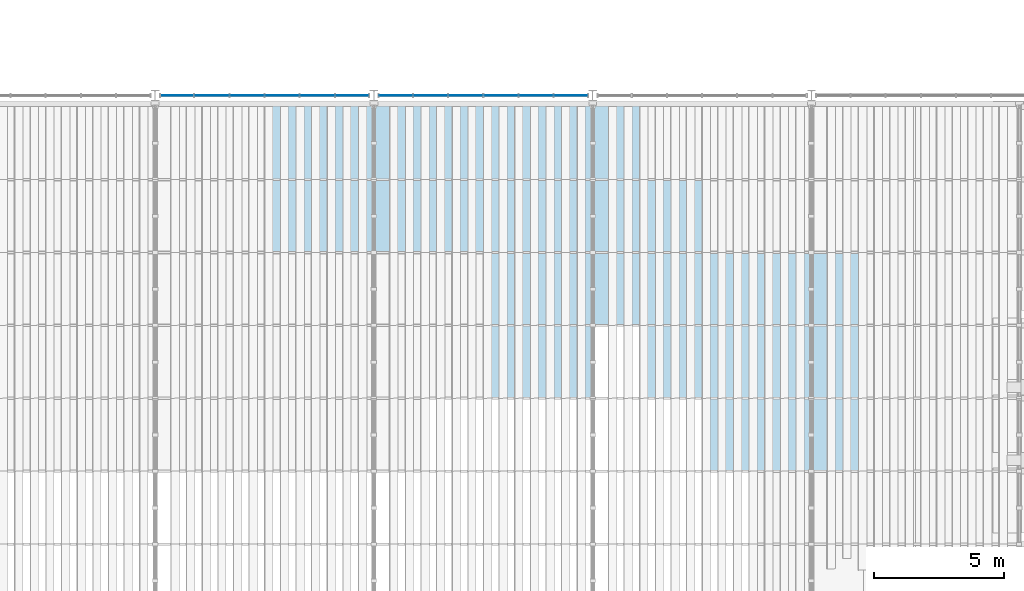
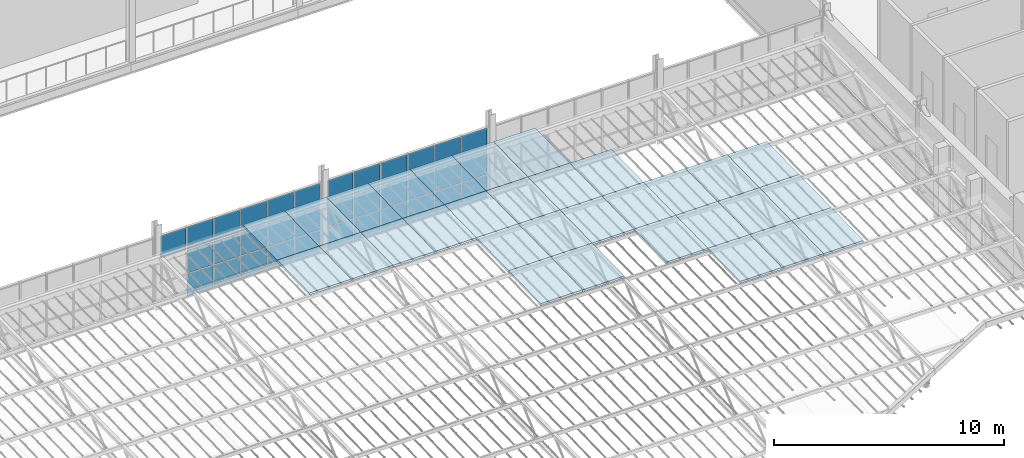
# One storey, part 73 of 129: 65 plates, 2 elements without a shape of their own.
"""IFC4 building model written with IfcOpenShell, lengths in metres."""

from ifc_helpers import new_model, si_unit, direction, frame, origin, origin_2d, place, context, subcontext, project, spatial, polyline, rectangle, outline, extrude, material, layer, layer_set, type_object, element, aggregate, save


model = new_model("IFC4")

# Units and contexts
model_context = context("Model", 3, precision=1e-05, world=origin(), true_north=direction((0.0, 1.0)))
body_context = subcontext(model_context, "Body", "Model", "MODEL_VIEW")
ifc_project = project(units=[si_unit("LENGTHUNIT", "METRE"), si_unit("AREAUNIT", "SQUARE_METRE"), si_unit("VOLUMEUNIT", "CUBIC_METRE"), si_unit("PLANEANGLEUNIT", "RADIAN"), si_unit("MASSUNIT", "GRAM", prefix="KILO")], contexts=[model_context])

# Site, building, storey
site_placement = place(None, origin())
site = spatial("IfcSite", under=ifc_project, at=site_placement, CompositionType="ELEMENT")
building_placement = place(site_placement, origin())
building = spatial("IfcBuilding", under=site, at=building_placement, Name="Ardhachandra Cancer Care Centre", CompositionType="ELEMENT")
storey_placement = place(building_placement, frame((0.0, 0.0, 4.5)))
storey = spatial("IfcBuildingStorey", under=building, at=storey_placement, Name="L01", CompositionType="ELEMENT", Elevation=4.5)

# Plates
ifc_material_1 = material(Name="Glass, laminated low-e insulating unit", Category="glass")
ifc_layer_1 = layer(ifc_material_1, 0.1201171875)
ifc_layer_set_1 = layer_set([ifc_layer_1], Name="Glass, laminated low-e insulating unit")
plate_type_1 = type_object("IfcPlateType", Name="Court glass cassette 120", PredefinedType="SHEET", material=ifc_layer_set_1)
plate_1_placement = place(storey_placement, frame((84.300048828125, 51.375, 3.007568359375), z_axis=(0.0, -0.019934189218, 0.999801294308), x_axis=(-1.0, 0.0, 0.0)))
element("IfcPlate", 1, at=plate_1_placement, inside=storey, type_object=plate_type_1, Name="Court glass cassette 5-1-3", PredefinedType="SHEET", context=body_context, shape_type="SweptSolid", body=[
    extrude(outline(polyline([(0.0, -3.00048828125), (2.10009765625, -3.00048828125), (2.10009765625, 0.0), (0.0, 0.0), (0.0, -3.00048828125)])), frame((0.0, 0.0, -0.1201171875)), (0.0, 0.0, 1.0), 0.1201171875),
])
plate_2_placement = place(storey_placement, frame((86.39990234375, 51.375, 3.007568359375), z_axis=(0.0, -0.019934189218, 0.999801294308), x_axis=(-1.0, 0.0, 0.0)))
element("IfcPlate", 2, at=plate_2_placement, inside=storey, type_object=plate_type_1, Name="Court glass cassette 5-1-4", PredefinedType="SHEET", context=body_context, shape_type="SweptSolid", body=[
    extrude(outline(polyline([(0.0, -3.00048828125), (2.099853515625, -3.00048828125), (2.099853515625, 0.0), (0.0, 0.0), (0.0, -3.00048828125)])), frame((0.0, 0.0, -0.1201171875)), (0.0, 0.0, 1.0), 0.1201171875),
])
plate_3_placement = place(storey_placement, frame((82.199951171875, 48.574951171875, 2.951416015625), z_axis=(0.0, -0.02005002746, 0.999798977995), x_axis=(0.0, 0.999798977995, 0.02005002746)))
element("IfcPlate", 3, at=plate_3_placement, inside=storey, type_object=plate_type_1, Name="Court glass cassette 5-2-3", PredefinedType="SHEET", context=body_context, shape_type="SweptSolid", body=[
    extrude(outline(polyline([(0.0, -2.10009765625), (2.800537109375, -2.10009765625), (2.800537109375, 0.0), (0.0, 0.0), (0.0, -2.10009765625)])), frame((0.0, 0.0, -0.1201171875)), (0.0, 0.0, 1.0), 0.1201171875),
])
plate_4_placement = place(storey_placement, frame((84.300048828125, 48.574951171875, 2.951416015625), z_axis=(0.0, -0.02005002746, 0.999798977995), x_axis=(0.0, 0.999798977995, 0.02005002746)))
element("IfcPlate", 4, at=plate_4_placement, inside=storey, type_object=plate_type_1, Name="Court glass cassette 5-2-4", PredefinedType="SHEET", context=body_context, shape_type="SweptSolid", body=[
    extrude(outline(polyline([(0.0, -2.099853515625), (2.800537109375, -2.099853515625), (2.800537109375, 0.0), (0.0, 0.0), (0.0, -2.099853515625)])), frame((0.0, 0.0, -0.1201171875)), (0.0, 0.0, 1.0), 0.1201171875),
])
for number, where, z_axis, x_axis, name in (
    (5, (88.5, 51.375, 3.007568359375), (0.0, -0.019934189218, 0.999801294308), (-1.0, 0.0, 0.0), "Court glass cassette 6-1-1"),
    (6, (90.60009765625, 51.375, 3.007568359375), (0.0, -0.019934189218, 0.999801294308), (-1.0, 0.0, 0.0), "Court glass cassette 6-1-2"),
):
    element("IfcPlate", number, at=place(storey_placement, frame(where, z_axis=z_axis, x_axis=x_axis)), inside=storey, type_object=plate_type_1, Name=name, PredefinedType="SHEET", context=body_context, shape_type="SweptSolid", body=[
        extrude(outline(polyline([(0.0, -3.00048828125), (2.10009765625, -3.00048828125), (2.10009765625, 0.0), (0.0, 0.0), (0.0, -3.00048828125)])), frame((0.0, 0.0, -0.1201171875)), (0.0, 0.0, 1.0), 0.1201171875),
    ])
plate_5_placement = place(storey_placement, frame((92.699951171875, 51.375, 3.007568359375), z_axis=(0.0, -0.019934189218, 0.999801294308), x_axis=(-1.0, 0.0, 0.0)))
element("IfcPlate", 7, at=plate_5_placement, inside=storey, type_object=plate_type_1, Name="Court glass cassette 6-1-3", PredefinedType="SHEET", context=body_context, shape_type="SweptSolid", body=[
    extrude(outline(polyline([(0.0, -3.00048828125), (2.099853515625, -3.00048828125), (2.099853515625, 0.0), (0.0, 0.0), (0.0, -3.00048828125)])), frame((0.0, 0.0, -0.1201171875)), (0.0, 0.0, 1.0), 0.1201171875),
])
plate_6_placement = place(storey_placement, frame((94.800048828125, 51.375, 3.007568359375), z_axis=(0.0, -0.019934189218, 0.999801294308), x_axis=(-1.0, 0.0, 0.0)))
element("IfcPlate", 8, at=plate_6_placement, inside=storey, type_object=plate_type_1, Name="Court glass cassette 6-1-4", PredefinedType="SHEET", context=body_context, shape_type="SweptSolid", body=[
    extrude(outline(polyline([(0.0, -3.00048828125), (2.10009765625, -3.00048828125), (2.10009765625, 0.0), (0.0, 0.0), (0.0, -3.00048828125)])), frame((0.0, 0.0, -0.1201171875)), (0.0, 0.0, 1.0), 0.1201171875),
])
for number, where, z_axis, x_axis, name in (
    (9, (86.39990234375, 48.574951171875, 2.951416015625), (0.0, -0.02005002746, 0.999798977995), (0.0, 0.999798977995, 0.02005002746), "Court glass cassette 6-2-1"),
    (10, (88.5, 48.574951171875, 2.951416015625), (0.0, -0.02005002746, 0.999798977995), (0.0, 0.999798977995, 0.02005002746), "Court glass cassette 6-2-2"),
):
    element("IfcPlate", number, at=place(storey_placement, frame(where, z_axis=z_axis, x_axis=x_axis)), inside=storey, type_object=plate_type_1, Name=name, PredefinedType="SHEET", context=body_context, shape_type="SweptSolid", body=[
        extrude(outline(polyline([(0.0, -2.10009765625), (2.800537109375, -2.10009765625), (2.800537109375, 0.0), (0.0, 0.0), (0.0, -2.10009765625)])), frame((0.0, 0.0, -0.1201171875)), (0.0, 0.0, 1.0), 0.1201171875),
    ])
plate_7_placement = place(storey_placement, frame((90.60009765625, 48.574951171875, 2.951416015625), z_axis=(0.0, -0.02005002746, 0.999798977995), x_axis=(0.0, 0.999798977995, 0.02005002746)))
element("IfcPlate", 11, at=plate_7_placement, inside=storey, type_object=plate_type_1, Name="Court glass cassette 6-2-3", PredefinedType="SHEET", context=body_context, shape_type="SweptSolid", body=[
    extrude(outline(polyline([(0.0, -2.099853515625), (2.800537109375, -2.099853515625), (2.800537109375, 0.0), (0.0, 0.0), (0.0, -2.099853515625)])), frame((0.0, 0.0, -0.1201171875)), (0.0, 0.0, 1.0), 0.1201171875),
])
plate_8_placement = place(storey_placement, frame((92.699951171875, 48.574951171875, 2.951416015625), z_axis=(0.0, -0.02005002746, 0.999798977995), x_axis=(0.0, 0.999798977995, 0.02005002746)))
element("IfcPlate", 12, at=plate_8_placement, inside=storey, type_object=plate_type_1, Name="Court glass cassette 6-2-4", PredefinedType="SHEET", context=body_context, shape_type="SweptSolid", body=[
    extrude(outline(polyline([(0.0, -2.10009765625), (2.800537109375, -2.10009765625), (2.800537109375, 0.0), (0.0, 0.0), (0.0, -2.10009765625)])), frame((0.0, 0.0, -0.1201171875)), (0.0, 0.0, 1.0), 0.1201171875),
])
plate_9_placement = place(storey_placement, frame((90.60009765625, 45.77490234375, 2.8955078125), z_axis=(0.0, -0.019962888244, 0.999800721691), x_axis=(0.0, 0.999800721691, 0.019962888244)))
element("IfcPlate", 13, at=plate_9_placement, inside=storey, type_object=plate_type_1, Name="Court glass cassette 6-3-3", PredefinedType="SHEET", context=body_context, shape_type="SweptSolid", body=[
    extrude(outline(polyline([(0.0, -2.099853515625), (2.800537109375, -2.099853515625), (2.800537109375, 0.0), (0.0, 0.0), (0.0, -2.099853515625)])), frame((0.0, 0.0, -0.1201171875)), (0.0, 0.0, 1.0), 0.1201171875),
])
plate_10_placement = place(storey_placement, frame((92.699951171875, 45.77490234375, 2.8955078125), z_axis=(0.0, -0.019962888244, 0.999800721691), x_axis=(0.0, 0.999800721691, 0.019962888244)))
element("IfcPlate", 14, at=plate_10_placement, inside=storey, type_object=plate_type_1, Name="Court glass cassette 6-3-4", PredefinedType="SHEET", context=body_context, shape_type="SweptSolid", body=[
    extrude(outline(polyline([(0.0, -2.10009765625), (2.800537109375, -2.10009765625), (2.800537109375, 0.0), (0.0, 0.0), (0.0, -2.10009765625)])), frame((0.0, 0.0, -0.1201171875)), (0.0, 0.0, 1.0), 0.1201171875),
])
plate_11_placement = place(storey_placement, frame((90.60009765625, 42.97509765625, 2.839599609375), z_axis=(0.0, -0.019964628297, 0.999800686946), x_axis=(0.0, 0.999800686946, 0.019964628297)))
element("IfcPlate", 15, at=plate_11_placement, inside=storey, type_object=plate_type_1, Name="Court glass cassette 6-4-3", PredefinedType="SHEET", context=body_context, shape_type="SweptSolid", body=[
    extrude(outline(polyline([(0.0, -2.099853515625), (2.80029296875, -2.099853515625), (2.80029296875, 0.0), (0.0, 0.0), (0.0, -2.099853515625)])), frame((0.0, 0.0, -0.1201171875)), (0.0, 0.0, 1.0), 0.1201171875),
])
plate_12_placement = place(storey_placement, frame((92.699951171875, 42.97509765625, 2.839599609375), z_axis=(0.0, -0.019964628297, 0.999800686946), x_axis=(0.0, 0.999800686946, 0.019964628297)))
element("IfcPlate", 16, at=plate_12_placement, inside=storey, type_object=plate_type_1, Name="Court glass cassette 6-4-4", PredefinedType="SHEET", context=body_context, shape_type="SweptSolid", body=[
    extrude(outline(polyline([(0.0, -2.10009765625), (2.80029296875, -2.10009765625), (2.80029296875, 0.0), (0.0, 0.0), (0.0, -2.10009765625)])), frame((0.0, 0.0, -0.1201171875)), (0.0, 0.0, 1.0), 0.1201171875),
])
plate_13_placement = place(storey_placement, frame((96.89990234375, 51.375, 3.007568359375), z_axis=(0.0, -0.019934189218, 0.999801294308), x_axis=(-1.0, 0.0, 0.0)))
element("IfcPlate", 17, at=plate_13_placement, inside=storey, type_object=plate_type_1, Name="Court glass cassette 7-1-1", PredefinedType="SHEET", context=body_context, shape_type="SweptSolid", body=[
    extrude(outline(polyline([(0.0, -3.00048828125), (2.099853515625, -3.00048828125), (2.099853515625, 0.0), (0.0, 0.0), (0.0, -3.00048828125)])), frame((0.0, 0.0, -0.1201171875)), (0.0, 0.0, 1.0), 0.1201171875),
])
plate_14_placement = place(storey_placement, frame((94.800048828125, 48.574951171875, 2.951416015625), z_axis=(0.0, -0.02005002746, 0.999798977995), x_axis=(0.0, 0.999798977995, 0.02005002746)))
element("IfcPlate", 18, at=plate_14_placement, inside=storey, type_object=plate_type_1, Name="Court glass cassette 7-2-1", PredefinedType="SHEET", context=body_context, shape_type="SweptSolid", body=[
    extrude(outline(polyline([(0.0, -2.099853515625), (2.800537109375, -2.099853515625), (2.800537109375, 0.0), (0.0, 0.0), (0.0, -2.099853515625)])), frame((0.0, 0.0, -0.1201171875)), (0.0, 0.0, 1.0), 0.1201171875),
])
plate_15_placement = place(storey_placement, frame((96.89990234375, 48.574951171875, 2.951416015625), z_axis=(0.0, -0.02005002746, 0.999798977995), x_axis=(0.0, 0.999798977995, 0.02005002746)))
element("IfcPlate", 19, at=plate_15_placement, inside=storey, type_object=plate_type_1, Name="Court glass cassette 7-2-2", PredefinedType="SHEET", context=body_context, shape_type="SweptSolid", body=[
    extrude(outline(polyline([(0.0, -2.10009765625), (2.800537109375, -2.10009765625), (2.800537109375, 0.0), (0.0, 0.0), (0.0, -2.10009765625)])), frame((0.0, 0.0, -0.1201171875)), (0.0, 0.0, 1.0), 0.1201171875),
])
plate_16_placement = place(storey_placement, frame((94.800048828125, 45.77490234375, 2.8955078125), z_axis=(0.0, -0.019962888244, 0.999800721691), x_axis=(0.0, 0.999800721691, 0.019962888244)))
element("IfcPlate", 20, at=plate_16_placement, inside=storey, type_object=plate_type_1, Name="Court glass cassette 7-3-1", PredefinedType="SHEET", context=body_context, shape_type="SweptSolid", body=[
    extrude(outline(polyline([(0.0, -2.099853515625), (2.800537109375, -2.099853515625), (2.800537109375, 0.0), (0.0, 0.0), (0.0, -2.099853515625)])), frame((0.0, 0.0, -0.1201171875)), (0.0, 0.0, 1.0), 0.1201171875),
])
for number, where, z_axis, x_axis, name in (
    (21, (96.89990234375, 45.77490234375, 2.8955078125), (0.0, -0.019962888244, 0.999800721691), (0.0, 0.999800721691, 0.019962888244), "Court glass cassette 7-3-2"),
    (22, (99.0, 45.77490234375, 2.8955078125), (0.0, -0.019962888244, 0.999800721691), (0.0, 0.999800721691, 0.019962888244), "Court glass cassette 7-3-3"),
):
    element("IfcPlate", number, at=place(storey_placement, frame(where, z_axis=z_axis, x_axis=x_axis)), inside=storey, type_object=plate_type_1, Name=name, PredefinedType="SHEET", context=body_context, shape_type="SweptSolid", body=[
        extrude(outline(polyline([(0.0, -2.10009765625), (2.800537109375, -2.10009765625), (2.800537109375, 0.0), (0.0, 0.0), (0.0, -2.10009765625)])), frame((0.0, 0.0, -0.1201171875)), (0.0, 0.0, 1.0), 0.1201171875),
    ])
plate_17_placement = place(storey_placement, frame((101.10009765625, 45.77490234375, 2.8955078125), z_axis=(0.0, -0.019962888244, 0.999800721691), x_axis=(0.0, 0.999800721691, 0.019962888244)))
element("IfcPlate", 23, at=plate_17_placement, inside=storey, type_object=plate_type_1, Name="Court glass cassette 7-3-4", PredefinedType="SHEET", context=body_context, shape_type="SweptSolid", body=[
    extrude(outline(polyline([(0.0, -2.099853515625), (2.800537109375, -2.099853515625), (2.800537109375, 0.0), (0.0, 0.0), (0.0, -2.099853515625)])), frame((0.0, 0.0, -0.1201171875)), (0.0, 0.0, 1.0), 0.1201171875),
])
for number, where, z_axis, x_axis, name in (
    (24, (96.89990234375, 42.97509765625, 2.839599609375), (0.0, -0.019964628297, 0.999800686946), (0.0, 0.999800686946, 0.019964628297), "Court glass cassette 7-4-2"),
    (25, (99.0, 42.97509765625, 2.839599609375), (0.0, -0.019964628297, 0.999800686946), (0.0, 0.999800686946, 0.019964628297), "Court glass cassette 7-4-3"),
):
    element("IfcPlate", number, at=place(storey_placement, frame(where, z_axis=z_axis, x_axis=x_axis)), inside=storey, type_object=plate_type_1, Name=name, PredefinedType="SHEET", context=body_context, shape_type="SweptSolid", body=[
        extrude(outline(polyline([(0.0, -2.10009765625), (2.80029296875, -2.10009765625), (2.80029296875, 0.0), (0.0, 0.0), (0.0, -2.10009765625)])), frame((0.0, 0.0, -0.1201171875)), (0.0, 0.0, 1.0), 0.1201171875),
    ])
plate_18_placement = place(storey_placement, frame((101.10009765625, 42.97509765625, 2.839599609375), z_axis=(0.0, -0.019964628297, 0.999800686946), x_axis=(0.0, 0.999800686946, 0.019964628297)))
element("IfcPlate", 26, at=plate_18_placement, inside=storey, type_object=plate_type_1, Name="Court glass cassette 7-4-4", PredefinedType="SHEET", context=body_context, shape_type="SweptSolid", body=[
    extrude(outline(polyline([(0.0, -2.099853515625), (2.80029296875, -2.099853515625), (2.80029296875, 0.0), (0.0, 0.0), (0.0, -2.099853515625)])), frame((0.0, 0.0, -0.1201171875)), (0.0, 0.0, 1.0), 0.1201171875),
])
plate_19_placement = place(storey_placement, frame((99.0, 40.175048828125, 2.783447265625), z_axis=(0.0, -0.02005002746, 0.999798977995), x_axis=(0.0, 0.999798977995, 0.02005002746)))
element("IfcPlate", 27, at=plate_19_placement, inside=storey, type_object=plate_type_1, Name="Court glass cassette 7-5-3", PredefinedType="SHEET", context=body_context, shape_type="SweptSolid", body=[
    extrude(outline(polyline([(0.0, -2.10009765625), (2.800537109375, -2.10009765625), (2.800537109375, 0.0), (0.0, 0.0), (0.0, -2.10009765625)])), frame((0.0, 0.0, -0.1201171875)), (0.0, 0.0, 1.0), 0.1201171875),
])
plate_20_placement = place(storey_placement, frame((101.10009765625, 40.175048828125, 2.783447265625), z_axis=(0.0, -0.02005002746, 0.999798977995), x_axis=(0.0, 0.999798977995, 0.02005002746)))
element("IfcPlate", 28, at=plate_20_placement, inside=storey, type_object=plate_type_1, Name="Court glass cassette 7-5-4", PredefinedType="SHEET", context=body_context, shape_type="SweptSolid", body=[
    extrude(outline(polyline([(0.0, -2.099853515625), (2.800537109375, -2.099853515625), (2.800537109375, 0.0), (0.0, 0.0), (0.0, -2.099853515625)])), frame((0.0, 0.0, -0.1201171875)), (0.0, 0.0, 1.0), 0.1201171875),
])
plate_21_placement = place(storey_placement, frame((103.199951171875, 45.77490234375, 2.8955078125), z_axis=(0.0, -0.019962888244, 0.999800721691), x_axis=(0.0, 0.999800721691, 0.019962888244)))
element("IfcPlate", 29, at=plate_21_placement, inside=storey, type_object=plate_type_1, Name="Court glass cassette 8-3-1", PredefinedType="SHEET", context=body_context, shape_type="SweptSolid", body=[
    extrude(outline(polyline([(0.0, -1.996337890625), (2.800537109375, -1.996337890625), (2.800537109375, 0.0), (0.0, 0.0), (0.0, -1.996337890625)])), frame((0.0, 0.0, -0.1201171875)), (0.0, 0.0, 1.0), 0.1201171875),
])
plate_22_placement = place(storey_placement, frame((103.199951171875, 42.97509765625, 2.839599609375), z_axis=(0.0, -0.019964628297, 0.999800686946), x_axis=(0.0, 0.999800686946, 0.019964628297)))
element("IfcPlate", 30, at=plate_22_placement, inside=storey, type_object=plate_type_1, Name="Court glass cassette 8-4-1", PredefinedType="SHEET", context=body_context, shape_type="SweptSolid", body=[
    extrude(outline(polyline([(0.0, -1.996337890625), (2.80029296875, -1.996337890625), (2.80029296875, 0.0), (0.0, 0.0), (0.0, -1.996337890625)])), frame((0.0, 0.0, -0.1201171875)), (0.0, 0.0, 1.0), 0.1201171875),
])
plate_23_placement = place(storey_placement, frame((103.199951171875, 40.175048828125, 2.783447265625), z_axis=(0.0, -0.02005002746, 0.999798977995), x_axis=(0.0, 0.999798977995, 0.02005002746)))
element("IfcPlate", 31, at=plate_23_placement, inside=storey, type_object=plate_type_1, Name="Court glass cassette 8-5-1", PredefinedType="SHEET", context=body_context, shape_type="SweptSolid", body=[
    extrude(outline(polyline([(0.0, -1.996337890625), (2.800537109375, -1.996337890625), (2.800537109375, 0.0), (0.0, 0.0), (0.0, -1.996337890625)])), frame((0.0, 0.0, -0.1201171875)), (0.0, 0.0, 1.0), 0.1201171875),
])

# Curtain wall, plates
ifc_material_2 = material(Name="Aluminium extrusion", Category="aluminium")
ifc_layer_2 = layer(ifc_material_2, 0.14990234375)
ifc_layer_set_2 = layer_set([ifc_layer_2], Name="Aluminium extrusion")
curtain_wall_type = type_object("IfcCurtainWallType", Name="Curtain wall run", PredefinedType="NOTDEFINED", material=ifc_layer_set_2)
curtain_wall_1_placement = place(storey_placement, origin())
curtain_wall_1 = element("IfcCurtainWall", 32, at=curtain_wall_1_placement, inside=storey, type_object=curtain_wall_type, Name="Curtain wall L01 s/0078000_0054600", PredefinedType="NOTDEFINED")
ifc_material_3 = material(Name="Low-iron double-glazed unit")
ifc_layer_3 = layer(ifc_material_3, 0.028076171875)
ifc_layer_set_3 = layer_set([ifc_layer_3], Name="Low-iron double-glazed unit")
plate_type_2 = type_object("IfcPlateType", Name="Curtain wall glazing 28", PredefinedType="CURTAIN_PANEL", material=ifc_layer_set_3)
plate_24_placement = place(storey_placement, frame((78.840087890625, 54.60009765625, 2.55029296875), z_axis=(0.0, 0.0, 1.0), x_axis=(1.0, 0.0, 0.0)))
plate_24 = element("IfcPlate", 33, at=plate_24_placement, type_object=plate_type_2, Name="CW panel 1.3", PredefinedType="CURTAIN_PANEL", context=body_context, shape_type="SweptSolid", body=[
    extrude(rectangle(XDim=1.260009765625, YDim=0.028076171875, at=origin_2d()), origin(), (0.0, 0.0, 1.0), 1.170166015625),
])
plate_25_placement = place(storey_placement, frame((80.175048828125, 54.60009765625, 0.06005859375), z_axis=(0.0, 0.0, 1.0), x_axis=(1.0, 0.0, 0.0)))
plate_25 = element("IfcPlate", 34, at=plate_25_placement, type_object=plate_type_2, Name="CW panel 2.1", PredefinedType="CURTAIN_PANEL", context=body_context, shape_type="SweptSolid", body=[
    extrude(rectangle(XDim=1.2900390625, YDim=0.028076171875, at=origin_2d()), origin(), (0.0, 0.0, 1.0), 1.170166015625),
])
plate_26_placement = place(storey_placement, frame((80.175048828125, 54.60009765625, 1.2900390625), z_axis=(0.0, 0.0, 1.0), x_axis=(1.0, 0.0, 0.0)))
plate_26 = element("IfcPlate", 35, at=plate_26_placement, type_object=plate_type_2, Name="CW panel 2.2", PredefinedType="CURTAIN_PANEL", context=body_context, shape_type="SweptSolid", body=[
    extrude(rectangle(XDim=1.2900390625, YDim=0.028076171875, at=origin_2d()), origin(), (0.0, 0.0, 1.0), 1.2001953125),
])
plate_27_placement = place(storey_placement, frame((80.175048828125, 54.60009765625, 2.55029296875), z_axis=(0.0, 0.0, 1.0), x_axis=(1.0, 0.0, 0.0)))
plate_27 = element("IfcPlate", 36, at=plate_27_placement, type_object=plate_type_2, Name="CW panel 2.3", PredefinedType="CURTAIN_PANEL", context=body_context, shape_type="SweptSolid", body=[
    extrude(rectangle(XDim=1.2900390625, YDim=0.028076171875, at=origin_2d()), origin(), (0.0, 0.0, 1.0), 1.170166015625),
])
plate_28_placement = place(storey_placement, frame((81.52490234375, 54.60009765625, 0.06005859375), z_axis=(0.0, 0.0, 1.0), x_axis=(1.0, 0.0, 0.0)))
plate_28 = element("IfcPlate", 37, at=plate_28_placement, type_object=plate_type_2, Name="CW panel 3.1", PredefinedType="CURTAIN_PANEL", context=body_context, shape_type="SweptSolid", body=[
    extrude(rectangle(XDim=1.2900390625, YDim=0.028076171875, at=origin_2d()), origin(), (0.0, 0.0, 1.0), 1.170166015625),
])
plate_29_placement = place(storey_placement, frame((81.52490234375, 54.60009765625, 1.2900390625), z_axis=(0.0, 0.0, 1.0), x_axis=(1.0, 0.0, 0.0)))
plate_29 = element("IfcPlate", 38, at=plate_29_placement, type_object=plate_type_2, Name="CW panel 3.2", PredefinedType="CURTAIN_PANEL", context=body_context, shape_type="SweptSolid", body=[
    extrude(rectangle(XDim=1.2900390625, YDim=0.028076171875, at=origin_2d()), origin(), (0.0, 0.0, 1.0), 1.2001953125),
])
plate_30_placement = place(storey_placement, frame((81.52490234375, 54.60009765625, 2.55029296875), z_axis=(0.0, 0.0, 1.0), x_axis=(1.0, 0.0, 0.0)))
plate_30 = element("IfcPlate", 39, at=plate_30_placement, type_object=plate_type_2, Name="CW panel 3.3", PredefinedType="CURTAIN_PANEL", context=body_context, shape_type="SweptSolid", body=[
    extrude(rectangle(XDim=1.2900390625, YDim=0.028076171875, at=origin_2d()), origin(), (0.0, 0.0, 1.0), 1.170166015625),
])
plate_31_placement = place(storey_placement, frame((82.875, 54.60009765625, 0.06005859375), z_axis=(0.0, 0.0, 1.0), x_axis=(1.0, 0.0, 0.0)))
plate_31 = element("IfcPlate", 40, at=plate_31_placement, type_object=plate_type_2, Name="CW panel 4.1", PredefinedType="CURTAIN_PANEL", context=body_context, shape_type="SweptSolid", body=[
    extrude(rectangle(XDim=1.2900390625, YDim=0.028076171875, at=origin_2d()), origin(), (0.0, 0.0, 1.0), 1.170166015625),
])
plate_32_placement = place(storey_placement, frame((82.875, 54.60009765625, 1.2900390625), z_axis=(0.0, 0.0, 1.0), x_axis=(1.0, 0.0, 0.0)))
plate_32 = element("IfcPlate", 41, at=plate_32_placement, type_object=plate_type_2, Name="CW panel 4.2", PredefinedType="CURTAIN_PANEL", context=body_context, shape_type="SweptSolid", body=[
    extrude(rectangle(XDim=1.2900390625, YDim=0.028076171875, at=origin_2d()), origin(), (0.0, 0.0, 1.0), 1.2001953125),
])
plate_33_placement = place(storey_placement, frame((82.875, 54.60009765625, 2.55029296875), z_axis=(0.0, 0.0, 1.0), x_axis=(1.0, 0.0, 0.0)))
plate_33 = element("IfcPlate", 42, at=plate_33_placement, type_object=plate_type_2, Name="CW panel 4.3", PredefinedType="CURTAIN_PANEL", context=body_context, shape_type="SweptSolid", body=[
    extrude(rectangle(XDim=1.2900390625, YDim=0.028076171875, at=origin_2d()), origin(), (0.0, 0.0, 1.0), 1.170166015625),
])
plate_34_placement = place(storey_placement, frame((84.22509765625, 54.60009765625, 0.06005859375), z_axis=(0.0, 0.0, 1.0), x_axis=(1.0, 0.0, 0.0)))
plate_34 = element("IfcPlate", 43, at=plate_34_placement, type_object=plate_type_2, Name="CW panel 5.1", PredefinedType="CURTAIN_PANEL", context=body_context, shape_type="SweptSolid", body=[
    extrude(rectangle(XDim=1.2900390625, YDim=0.028076171875, at=origin_2d()), origin(), (0.0, 0.0, 1.0), 1.170166015625),
])
plate_35_placement = place(storey_placement, frame((84.22509765625, 54.60009765625, 1.2900390625), z_axis=(0.0, 0.0, 1.0), x_axis=(1.0, 0.0, 0.0)))
plate_35 = element("IfcPlate", 44, at=plate_35_placement, type_object=plate_type_2, Name="CW panel 5.2", PredefinedType="CURTAIN_PANEL", context=body_context, shape_type="SweptSolid", body=[
    extrude(rectangle(XDim=1.2900390625, YDim=0.028076171875, at=origin_2d()), origin(), (0.0, 0.0, 1.0), 1.2001953125),
])
plate_36_placement = place(storey_placement, frame((84.22509765625, 54.60009765625, 2.55029296875), z_axis=(0.0, 0.0, 1.0), x_axis=(1.0, 0.0, 0.0)))
plate_36 = element("IfcPlate", 45, at=plate_36_placement, type_object=plate_type_2, Name="CW panel 5.3", PredefinedType="CURTAIN_PANEL", context=body_context, shape_type="SweptSolid", body=[
    extrude(rectangle(XDim=1.2900390625, YDim=0.028076171875, at=origin_2d()), origin(), (0.0, 0.0, 1.0), 1.170166015625),
])
plate_37_placement = place(storey_placement, frame((85.56005859375, 54.60009765625, 0.06005859375), z_axis=(0.0, 0.0, 1.0), x_axis=(1.0, 0.0, 0.0)))
plate_37 = element("IfcPlate", 46, at=plate_37_placement, type_object=plate_type_2, Name="CW panel 6.1", PredefinedType="CURTAIN_PANEL", context=body_context, shape_type="SweptSolid", body=[
    extrude(rectangle(XDim=1.260009765625, YDim=0.028076171875, at=origin_2d()), origin(), (0.0, 0.0, 1.0), 1.170166015625),
])
plate_38_placement = place(storey_placement, frame((85.56005859375, 54.60009765625, 1.2900390625), z_axis=(0.0, 0.0, 1.0), x_axis=(1.0, 0.0, 0.0)))
plate_38 = element("IfcPlate", 47, at=plate_38_placement, type_object=plate_type_2, Name="CW panel 6.2", PredefinedType="CURTAIN_PANEL", context=body_context, shape_type="SweptSolid", body=[
    extrude(rectangle(XDim=1.260009765625, YDim=0.028076171875, at=origin_2d()), origin(), (0.0, 0.0, 1.0), 1.2001953125),
])
plate_39_placement = place(storey_placement, frame((85.56005859375, 54.60009765625, 2.55029296875), z_axis=(0.0, 0.0, 1.0), x_axis=(1.0, 0.0, 0.0)))
plate_39 = element("IfcPlate", 48, at=plate_39_placement, type_object=plate_type_2, Name="CW panel 6.3", PredefinedType="CURTAIN_PANEL", context=body_context, shape_type="SweptSolid", body=[
    extrude(rectangle(XDim=1.260009765625, YDim=0.028076171875, at=origin_2d()), origin(), (0.0, 0.0, 1.0), 1.170166015625),
])
aggregate(curtain_wall_1, [plate_24, plate_25, plate_26, plate_27, plate_28, plate_29, plate_30, plate_31, plate_32, plate_33, plate_34, plate_35, plate_36, plate_37, plate_38, plate_39])

curtain_wall_2_placement = place(storey_placement, origin())
curtain_wall_2 = element("IfcCurtainWall", 49, at=curtain_wall_2_placement, inside=storey, type_object=curtain_wall_type, Name="Curtain wall L01 s/0086400_0054600", PredefinedType="NOTDEFINED")
plate_40_placement = place(storey_placement, frame((87.239990234375, 54.60009765625, 0.06005859375), z_axis=(0.0, 0.0, 1.0), x_axis=(1.0, 0.0, 0.0)))
plate_40 = element("IfcPlate", 50, at=plate_40_placement, type_object=plate_type_2, Name="CW panel 1.1", PredefinedType="CURTAIN_PANEL", context=body_context, shape_type="SweptSolid", body=[
    extrude(rectangle(XDim=1.260009765625, YDim=0.028076171875, at=origin_2d()), origin(), (0.0, 0.0, 1.0), 1.170166015625),
])
plate_41_placement = place(storey_placement, frame((87.239990234375, 54.60009765625, 1.2900390625), z_axis=(0.0, 0.0, 1.0), x_axis=(1.0, 0.0, 0.0)))
plate_41 = element("IfcPlate", 51, at=plate_41_placement, type_object=plate_type_2, Name="CW panel 1.2", PredefinedType="CURTAIN_PANEL", context=body_context, shape_type="SweptSolid", body=[
    extrude(rectangle(XDim=1.260009765625, YDim=0.028076171875, at=origin_2d()), origin(), (0.0, 0.0, 1.0), 1.2001953125),
])
plate_42_placement = place(storey_placement, frame((87.239990234375, 54.60009765625, 2.55029296875), z_axis=(0.0, 0.0, 1.0), x_axis=(1.0, 0.0, 0.0)))
plate_42 = element("IfcPlate", 52, at=plate_42_placement, type_object=plate_type_2, Name="CW panel 1.3", PredefinedType="CURTAIN_PANEL", context=body_context, shape_type="SweptSolid", body=[
    extrude(rectangle(XDim=1.260009765625, YDim=0.028076171875, at=origin_2d()), origin(), (0.0, 0.0, 1.0), 1.170166015625),
])
plate_43_placement = place(storey_placement, frame((88.574951171875, 54.60009765625, 0.06005859375), z_axis=(0.0, 0.0, 1.0), x_axis=(1.0, 0.0, 0.0)))
plate_43 = element("IfcPlate", 53, at=plate_43_placement, type_object=plate_type_2, Name="CW panel 2.1", PredefinedType="CURTAIN_PANEL", context=body_context, shape_type="SweptSolid", body=[
    extrude(rectangle(XDim=1.2900390625, YDim=0.028076171875, at=origin_2d()), origin(), (0.0, 0.0, 1.0), 1.170166015625),
])
plate_44_placement = place(storey_placement, frame((88.574951171875, 54.60009765625, 1.2900390625), z_axis=(0.0, 0.0, 1.0), x_axis=(1.0, 0.0, 0.0)))
plate_44 = element("IfcPlate", 54, at=plate_44_placement, type_object=plate_type_2, Name="CW panel 2.2", PredefinedType="CURTAIN_PANEL", context=body_context, shape_type="SweptSolid", body=[
    extrude(rectangle(XDim=1.2900390625, YDim=0.028076171875, at=origin_2d()), origin(), (0.0, 0.0, 1.0), 1.2001953125),
])
plate_45_placement = place(storey_placement, frame((88.574951171875, 54.60009765625, 2.55029296875), z_axis=(0.0, 0.0, 1.0), x_axis=(1.0, 0.0, 0.0)))
plate_45 = element("IfcPlate", 55, at=plate_45_placement, type_object=plate_type_2, Name="CW panel 2.3", PredefinedType="CURTAIN_PANEL", context=body_context, shape_type="SweptSolid", body=[
    extrude(rectangle(XDim=1.2900390625, YDim=0.028076171875, at=origin_2d()), origin(), (0.0, 0.0, 1.0), 1.170166015625),
])
plate_46_placement = place(storey_placement, frame((89.925048828125, 54.60009765625, 0.06005859375), z_axis=(0.0, 0.0, 1.0), x_axis=(1.0, 0.0, 0.0)))
plate_46 = element("IfcPlate", 56, at=plate_46_placement, type_object=plate_type_2, Name="CW panel 3.1", PredefinedType="CURTAIN_PANEL", context=body_context, shape_type="SweptSolid", body=[
    extrude(rectangle(XDim=1.2900390625, YDim=0.028076171875, at=origin_2d()), origin(), (0.0, 0.0, 1.0), 1.170166015625),
])
plate_47_placement = place(storey_placement, frame((89.925048828125, 54.60009765625, 1.2900390625), z_axis=(0.0, 0.0, 1.0), x_axis=(1.0, 0.0, 0.0)))
plate_47 = element("IfcPlate", 57, at=plate_47_placement, type_object=plate_type_2, Name="CW panel 3.2", PredefinedType="CURTAIN_PANEL", context=body_context, shape_type="SweptSolid", body=[
    extrude(rectangle(XDim=1.2900390625, YDim=0.028076171875, at=origin_2d()), origin(), (0.0, 0.0, 1.0), 1.2001953125),
])
plate_48_placement = place(storey_placement, frame((89.925048828125, 54.60009765625, 2.55029296875), z_axis=(0.0, 0.0, 1.0), x_axis=(1.0, 0.0, 0.0)))
plate_48 = element("IfcPlate", 58, at=plate_48_placement, type_object=plate_type_2, Name="CW panel 3.3", PredefinedType="CURTAIN_PANEL", context=body_context, shape_type="SweptSolid", body=[
    extrude(rectangle(XDim=1.2900390625, YDim=0.028076171875, at=origin_2d()), origin(), (0.0, 0.0, 1.0), 1.170166015625),
])
plate_49_placement = place(storey_placement, frame((91.27490234375, 54.60009765625, 0.06005859375), z_axis=(0.0, 0.0, 1.0), x_axis=(1.0, 0.0, 0.0)))
plate_49 = element("IfcPlate", 59, at=plate_49_placement, type_object=plate_type_2, Name="CW panel 4.1", PredefinedType="CURTAIN_PANEL", context=body_context, shape_type="SweptSolid", body=[
    extrude(rectangle(XDim=1.2900390625, YDim=0.028076171875, at=origin_2d()), origin(), (0.0, 0.0, 1.0), 1.170166015625),
])
plate_50_placement = place(storey_placement, frame((91.27490234375, 54.60009765625, 1.2900390625), z_axis=(0.0, 0.0, 1.0), x_axis=(1.0, 0.0, 0.0)))
plate_50 = element("IfcPlate", 60, at=plate_50_placement, type_object=plate_type_2, Name="CW panel 4.2", PredefinedType="CURTAIN_PANEL", context=body_context, shape_type="SweptSolid", body=[
    extrude(rectangle(XDim=1.2900390625, YDim=0.028076171875, at=origin_2d()), origin(), (0.0, 0.0, 1.0), 1.2001953125),
])
plate_51_placement = place(storey_placement, frame((91.27490234375, 54.60009765625, 2.55029296875), z_axis=(0.0, 0.0, 1.0), x_axis=(1.0, 0.0, 0.0)))
plate_51 = element("IfcPlate", 61, at=plate_51_placement, type_object=plate_type_2, Name="CW panel 4.3", PredefinedType="CURTAIN_PANEL", context=body_context, shape_type="SweptSolid", body=[
    extrude(rectangle(XDim=1.2900390625, YDim=0.028076171875, at=origin_2d()), origin(), (0.0, 0.0, 1.0), 1.170166015625),
])
plate_52_placement = place(storey_placement, frame((92.625, 54.60009765625, 0.06005859375), z_axis=(0.0, 0.0, 1.0), x_axis=(1.0, 0.0, 0.0)))
plate_52 = element("IfcPlate", 62, at=plate_52_placement, type_object=plate_type_2, Name="CW panel 5.1", PredefinedType="CURTAIN_PANEL", context=body_context, shape_type="SweptSolid", body=[
    extrude(rectangle(XDim=1.2900390625, YDim=0.028076171875, at=origin_2d()), origin(), (0.0, 0.0, 1.0), 1.170166015625),
])
plate_53_placement = place(storey_placement, frame((92.625, 54.60009765625, 1.2900390625), z_axis=(0.0, 0.0, 1.0), x_axis=(1.0, 0.0, 0.0)))
plate_53 = element("IfcPlate", 63, at=plate_53_placement, type_object=plate_type_2, Name="CW panel 5.2", PredefinedType="CURTAIN_PANEL", context=body_context, shape_type="SweptSolid", body=[
    extrude(rectangle(XDim=1.2900390625, YDim=0.028076171875, at=origin_2d()), origin(), (0.0, 0.0, 1.0), 1.2001953125),
])
plate_54_placement = place(storey_placement, frame((92.625, 54.60009765625, 2.55029296875), z_axis=(0.0, 0.0, 1.0), x_axis=(1.0, 0.0, 0.0)))
plate_54 = element("IfcPlate", 64, at=plate_54_placement, type_object=plate_type_2, Name="CW panel 5.3", PredefinedType="CURTAIN_PANEL", context=body_context, shape_type="SweptSolid", body=[
    extrude(rectangle(XDim=1.2900390625, YDim=0.028076171875, at=origin_2d()), origin(), (0.0, 0.0, 1.0), 1.170166015625),
])
plate_55_placement = place(storey_placement, frame((93.9599609375, 54.60009765625, 0.06005859375), z_axis=(0.0, 0.0, 1.0), x_axis=(1.0, 0.0, 0.0)))
plate_55 = element("IfcPlate", 65, at=plate_55_placement, type_object=plate_type_2, Name="CW panel 6.1", PredefinedType="CURTAIN_PANEL", context=body_context, shape_type="SweptSolid", body=[
    extrude(rectangle(XDim=1.260009765625, YDim=0.028076171875, at=origin_2d()), origin(), (0.0, 0.0, 1.0), 1.170166015625),
])
plate_56_placement = place(storey_placement, frame((93.9599609375, 54.60009765625, 1.2900390625), z_axis=(0.0, 0.0, 1.0), x_axis=(1.0, 0.0, 0.0)))
plate_56 = element("IfcPlate", 66, at=plate_56_placement, type_object=plate_type_2, Name="CW panel 6.2", PredefinedType="CURTAIN_PANEL", context=body_context, shape_type="SweptSolid", body=[
    extrude(rectangle(XDim=1.260009765625, YDim=0.028076171875, at=origin_2d()), origin(), (0.0, 0.0, 1.0), 1.2001953125),
])
plate_57_placement = place(storey_placement, frame((93.9599609375, 54.60009765625, 2.55029296875), z_axis=(0.0, 0.0, 1.0), x_axis=(1.0, 0.0, 0.0)))
plate_57 = element("IfcPlate", 67, at=plate_57_placement, type_object=plate_type_2, Name="CW panel 6.3", PredefinedType="CURTAIN_PANEL", context=body_context, shape_type="SweptSolid", body=[
    extrude(rectangle(XDim=1.260009765625, YDim=0.028076171875, at=origin_2d()), origin(), (0.0, 0.0, 1.0), 1.170166015625),
])
aggregate(curtain_wall_2, [plate_40, plate_41, plate_42, plate_43, plate_44, plate_45, plate_46, plate_47, plate_48, plate_49, plate_50, plate_51, plate_52, plate_53, plate_54, plate_55, plate_56, plate_57])

save(model, "model.ifc")
